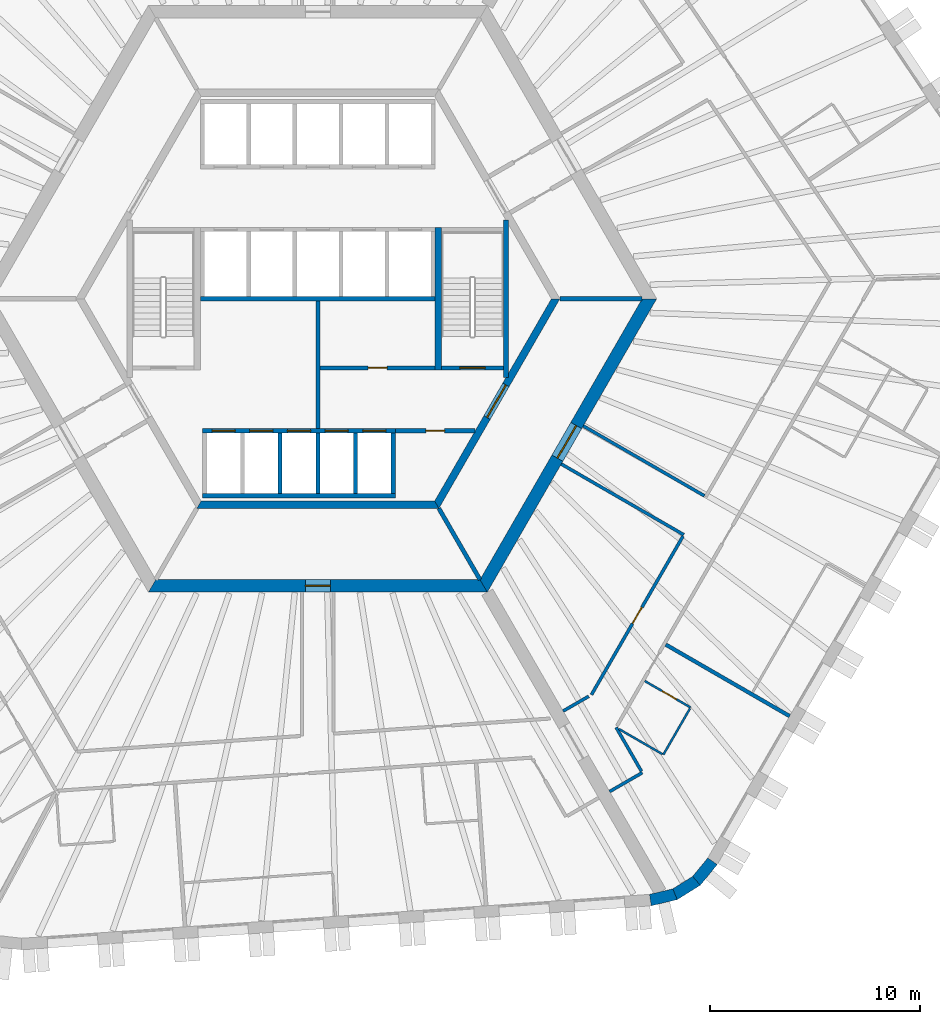
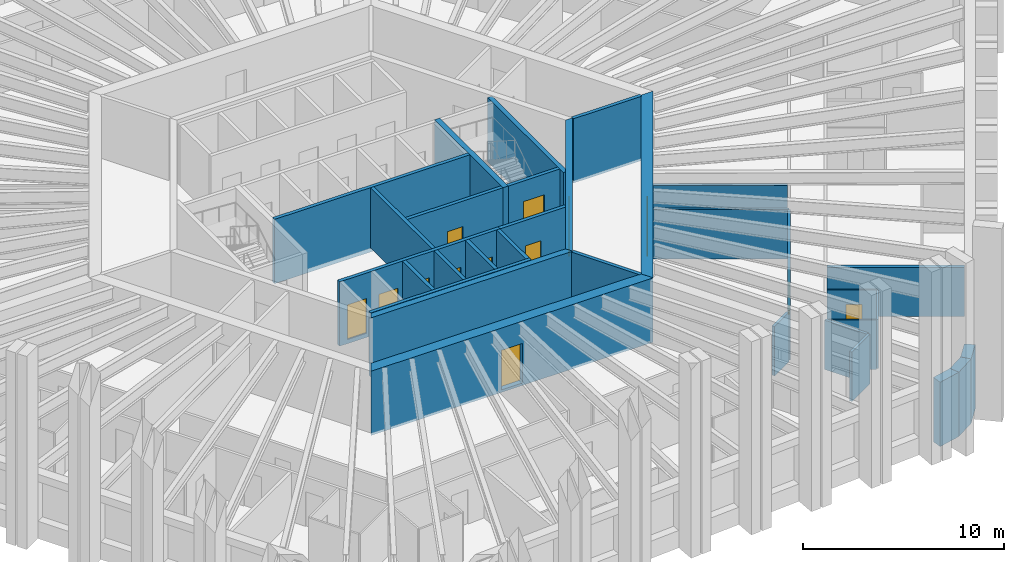
# One storey, part 5 of 12: 32 walls, 13 doors, 13 openings.
"""IFC4 building model written with IfcOpenShell, lengths in metres."""

from ifc_helpers import new_model, si_unit, direction, frame, frame_2d, origin, place, context, subcontext, project, spatial, polyline, rectangle, outline, extrude, material, layer, layer_set, type_object, element, fill, save


model = new_model("IFC4")

# Units and contexts
model_context = context("Model", 3, precision=1e-05, world=origin(), true_north=direction((0.0, 1.0)))
body_context = subcontext(model_context, "Body", "Model", "MODEL_VIEW")
ifc_project = project(units=[si_unit("LENGTHUNIT", "METRE"), si_unit("AREAUNIT", "SQUARE_METRE"), si_unit("VOLUMEUNIT", "CUBIC_METRE"), si_unit("PLANEANGLEUNIT", "RADIAN"), si_unit("MASSUNIT", "GRAM", prefix="KILO")], contexts=[model_context])

# Site, building, storey
site_placement = place(None, origin())
site = spatial("IfcSite", under=ifc_project, at=site_placement, CompositionType="ELEMENT")
building_placement = place(site_placement, origin())
building = spatial("IfcBuilding", under=site, at=building_placement, Name="Tarnside Tower", CompositionType="ELEMENT")
storey_placement = place(building_placement, frame((0.0, 0.0, 49.199951171875)))
storey = spatial("IfcBuildingStorey", under=building, at=storey_placement, Name="L09", CompositionType="ELEMENT", Elevation=49.199951171875)

# Wall, opening, door
ifc_material_1 = material(Name="Gypsum board partition on steel studs", Category="steel")
ifc_layer_1 = layer(ifc_material_1, 0.10009765625)
ifc_layer_set_1 = layer_set([ifc_layer_1], Name="Bathroom wall 100")
wall_type_1 = type_object("IfcWallType", Name="Bathroom wall 100", PredefinedType="PARTITIONING", material=ifc_layer_set_1)
wall_1_placement = place(storey_placement, frame((15.5966796875, -18.23583984375, 0.0), z_axis=(0.0, 0.0, 1.0), x_axis=(0.866039067339, -0.499976333282, 0.0)))
wall_1 = element("IfcWall", 1, at=wall_1_placement, inside=storey, type_object=wall_type_1, Name="Bathroom wall 02128", PredefinedType="PARTITIONING", context=body_context, shape_type="SweptSolid", body=[
    extrude(rectangle(XDim=2.52490234375, YDim=0.10009765625, at=frame_2d((1.262451171875, 0.0))), origin(), (0.0, 0.0, 1.0), 2.98779296875),
])
opening_1_placement = place(wall_1_placement, frame((0.955078125, 0.0, 0.0)))
opening_1 = element("IfcOpeningElement", 2, at=opening_1_placement, cuts=wall_1, Name="Opening D-B1", PredefinedType="OPENING", context=body_context, shape_type="SweptSolid", body=[
    extrude(rectangle(XDim=0.800048828125, YDim=2.10009765625, at=frame_2d((0.39990234375, 1.050048828125))), frame((0.0, 0.06005859375, 0.0), z_axis=(0.0, -1.0, 0.0), x_axis=(1.0, 0.0, 0.0)), (0.0, 0.0, 1.0), 0.1201171875),
])
ifc_material_2 = material(Name="Timber door leaf", Category="wood")
door_type_1 = type_object("IfcDoorType", Name="Bathroom door 800", OperationType="NOTDEFINED", PredefinedType="DOOR", material=ifc_material_2)
door_1_placement = place(opening_1_placement, origin())
door_1 = element("IfcDoor", 3, at=door_1_placement, inside=storey, type_object=door_type_1, Name="Bathroom door 02029", OperationType="SINGLE_SWING_LEFT", OverallHeight=2.10009765625, OverallWidth=0.800048828125, PredefinedType="DOOR", context=body_context, shape_type="SweptSolid", body=[
    extrude(rectangle(XDim=0.800048828125, YDim=2.10009765625, at=frame_2d((0.39990234375, 1.050048828125))), frame((0.0, 0.02490234375, 0.0), z_axis=(0.0, -1.0, 0.0), x_axis=(1.0, 0.0, 0.0)), (0.0, 0.0, 1.0), 0.050048828125),
])
fill(opening_1, door_1)

# Walls
wall_2_placement = place(storey_placement, frame((17.75830078125, -19.541748046875, 0.0), z_axis=(0.0, 0.0, 1.0), x_axis=(-0.499990435942, -0.866030925526, 0.0)))
element("IfcWall", 4, at=wall_2_placement, inside=storey, type_object=wall_type_1, Name="Bathroom wall 02129", PredefinedType="PARTITIONING", context=body_context, shape_type="SweptSolid", body=[
    extrude(rectangle(XDim=2.5498046875, YDim=0.10009765625, at=frame_2d((1.27490234375, 0.0))), origin(), (0.0, 0.0, 1.0), 2.98779296875),
])
wall_3_placement = place(storey_placement, frame((16.43994140625, -21.72509765625, 0.0), z_axis=(0.0, 0.0, 1.0), x_axis=(-0.865980596518, 0.500077600433, 0.0)))
element("IfcWall", 5, at=wall_3_placement, inside=storey, type_object=wall_type_1, Name="Bathroom wall 02130", PredefinedType="PARTITIONING", context=body_context, shape_type="SweptSolid", body=[
    extrude(rectangle(XDim=2.39990234375, YDim=0.10009765625, at=frame_2d((1.199951171875, 0.0))), origin(), (0.0, 0.0, 1.0), 2.98779296875),
])
ifc_material_3 = material(Name="Concrete C50/60", Category="concrete")
ifc_layer_2 = layer(ifc_material_3, 0.35009765625)
ifc_layer_set_2 = layer_set([ifc_layer_2], Name="Core block wall 350 C50/60")
wall_type_2 = type_object("IfcWallType", Name="Core block wall 350 C50/60", PredefinedType="SHEAR", material=ifc_layer_set_2)
wall_4_placement = place(storey_placement, frame((-5.672607421875, -9.824951171875, -0.14990234375), z_axis=(0.0, 0.0, 1.0), x_axis=(1.0, 0.0, 0.0)))
element("IfcWall", 6, at=wall_4_placement, inside=storey, type_object=wall_type_2, Name="L09 core block wall face 4", PredefinedType="SHEAR", context=body_context, shape_type="SweptSolid", body=[
    extrude(outline(polyline([(-0.10107421875, -0.175048828125), (11.4462890625, -0.175048828125), (11.244140625, 0.175048828125), (0.10107421875, 0.175048828125), (-0.10107421875, -0.175048828125)])), origin(), (0.0, 0.0, 1.0), 3.89990234375),
])

# Wall, opening, door
wall_5_placement = place(storey_placement, frame((5.672607421875, -9.824951171875, -0.14990234375), z_axis=(0.0, 0.0, 1.0), x_axis=(0.499995046907, 0.866028263435, 0.0)))
wall_5 = element("IfcWall", 7, at=wall_5_placement, inside=storey, type_object=wall_type_2, Name="L09 core block wall face 5", PredefinedType="SHEAR", context=body_context, shape_type="SweptSolid", body=[
    extrude(outline(polyline([(-0.10107421875, -0.175048828125), (11.44580078125, -0.175048828125), (11.24365234375, 0.175048828125), (0.10107421875, 0.175048828125), (-0.10107421875, -0.175048828125)])), origin(), (0.0, 0.0, 1.0), 3.89990234375),
])
opening_2_placement = place(wall_5_placement, frame((4.80126953125, 0.0, 0.14990234375)))
opening_2 = element("IfcOpeningElement", 8, at=opening_2_placement, cuts=wall_5, Name="Opening CD-FFL", PredefinedType="OPENING", context=body_context, shape_type="SweptSolid", body=[
    extrude(rectangle(XDim=1.800048828125, YDim=2.39990234375, at=frame_2d((0.89990234375, 1.199951171875))), frame((0.0, 0.18505859375, 0.0), z_axis=(0.0, -1.0, 0.0), x_axis=(1.0, 0.0, 0.0)), (0.0, 0.0, 1.0), 0.3701171875),
])
ifc_material_4 = material(Name="Steel fire door", Category="steel")
door_type_2 = type_object("IfcDoorType", Name="Firefighting lobby double door FD60S 1800x2400", OperationType="NOTDEFINED", PredefinedType="DOOR", material=ifc_material_4)
door_2_placement = place(opening_2_placement, origin())
door_2 = element("IfcDoor", 9, at=door_2_placement, inside=storey, type_object=door_type_2, Name="L09 lobby block door P4", OperationType="DOUBLE_DOOR_SINGLE_SWING", OverallHeight=2.39990234375, OverallWidth=1.800048828125, PredefinedType="DOOR", context=body_context, shape_type="SweptSolid", body=[
    extrude(rectangle(XDim=1.800048828125, YDim=2.39990234375, at=frame_2d((0.89990234375, 1.199951171875))), frame((0.0, 0.02490234375, 0.0), z_axis=(0.0, -1.0, 0.0), x_axis=(1.0, 0.0, 0.0)), (0.0, 0.0, 1.0), 0.050048828125),
])
fill(opening_2, door_2)

ifc_material_5 = material(Name="Concrete C40/50", Category="concrete")
ifc_layer_3 = layer(ifc_material_5, 0.199951171875)
ifc_layer_set_3 = layer_set([ifc_layer_3], Name="Core room partition 200 C40/50")
wall_type_3 = type_object("IfcWallType", Name="Core room partition 200 C40/50", PredefinedType="PARTITIONING", material=ifc_layer_set_3)
wall_6_placement = place(storey_placement, frame((0.10009765625, -3.300048828125, 0.0), z_axis=(0.0, 0.0, 1.0), x_axis=(1.0, 0.0, 0.0)))
wall_6 = element("IfcWall", 10, at=wall_6_placement, inside=storey, type_object=wall_type_3, Name="L09 core partition R3S1", PredefinedType="PARTITIONING", context=body_context, shape_type="SweptSolid", body=[
    extrude(rectangle(XDim=5.5, YDim=0.199951171875, at=frame_2d((2.75, 0.0))), origin(), (0.0, 0.0, 1.0), 3.650146484375),
])
opening_3_placement = place(wall_6_placement, frame((2.300048828125, 0.0, 0.0)))
opening_3 = element("IfcOpeningElement", 11, at=opening_3_placement, cuts=wall_6, Name="Opening CD-room", PredefinedType="OPENING", context=body_context, shape_type="SweptSolid", body=[
    extrude(rectangle(XDim=0.89990234375, YDim=2.10009765625, at=frame_2d((0.449951171875, 1.050048828125))), frame((0.0, 0.10986328125, 0.0), z_axis=(0.0, -1.0, 0.0), x_axis=(1.0, 0.0, 0.0)), (0.0, 0.0, 1.0), 0.219970703125),
])
door_type_3 = type_object("IfcDoorType", Name="Room door FD60 900x2100", OperationType="NOTDEFINED", PredefinedType="DOOR", material=ifc_material_4)
door_3_placement = place(opening_3_placement, origin())
door_3 = element("IfcDoor", 12, at=door_3_placement, inside=storey, type_object=door_type_3, Name="L09 core room door SR1", OperationType="SINGLE_SWING_LEFT", OverallHeight=2.10009765625, OverallWidth=0.89990234375, PredefinedType="DOOR", context=body_context, shape_type="SweptSolid", body=[
    extrude(rectangle(XDim=0.89990234375, YDim=2.10009765625, at=frame_2d((0.449951171875, 1.050048828125))), frame((0.0, 0.02490234375, 0.0), z_axis=(0.0, -1.0, 0.0), x_axis=(1.0, 0.0, 0.0)), (0.0, 0.0, 1.0), 0.050048828125),
])
fill(opening_3, door_3)

# Wall
wall_7_placement = place(storey_placement, frame((0.0, -6.199951171875, 0.0), z_axis=(0.0, 0.0, 1.0), x_axis=(0.0, 1.0, 0.0)))
element("IfcWall", 13, at=wall_7_placement, inside=storey, type_object=wall_type_3, Name="L09 core partition X0", PredefinedType="PARTITIONING", context=body_context, shape_type="SweptSolid", body=[
    extrude(rectangle(XDim=6.099853515625, YDim=0.199951171875, at=frame_2d((3.0498046875, 0.0))), origin(), (0.0, 0.0, 1.0), 3.650146484375),
])

# Wall, opening, door
wall_8_placement = place(storey_placement, frame((3.699951171875, -6.300048828125, 0.0), z_axis=(0.0, 0.0, 1.0), x_axis=(1.0, 0.0, 0.0)))
wall_8 = element("IfcWall", 14, at=wall_8_placement, inside=storey, type_object=wall_type_3, Name="L09 core partition R4X", PredefinedType="PARTITIONING", context=body_context, shape_type="SweptSolid", body=[
    extrude(rectangle(XDim=3.8056640625, YDim=0.199951171875, at=frame_2d((1.90283203125, 0.0))), origin(), (0.0, 0.0, 1.0), 3.650146484375),
])
opening_4_placement = place(wall_8_placement, frame((1.452880859375, 0.0, 0.0)))
opening_4 = element("IfcOpeningElement", 15, at=opening_4_placement, cuts=wall_8, Name="Opening CD-room", PredefinedType="OPENING", context=body_context, shape_type="SweptSolid", body=[
    extrude(rectangle(XDim=0.89990234375, YDim=2.10009765625, at=frame_2d((0.449951171875, 1.050048828125))), frame((0.0, 0.10986328125, 0.0), z_axis=(0.0, -1.0, 0.0), x_axis=(1.0, 0.0, 0.0)), (0.0, 0.0, 1.0), 0.219970703125),
])
door_4_placement = place(opening_4_placement, origin())
door_4 = element("IfcDoor", 16, at=door_4_placement, inside=storey, type_object=door_type_3, Name="L09 core room door RX", OperationType="SINGLE_SWING_LEFT", OverallHeight=2.10009765625, OverallWidth=0.89990234375, PredefinedType="DOOR", context=body_context, shape_type="SweptSolid", body=[
    extrude(rectangle(XDim=0.89990234375, YDim=2.10009765625, at=frame_2d((0.449951171875, 1.050048828125))), frame((0.0, 0.02490234375, 0.0), z_axis=(0.0, -1.0, 0.0), x_axis=(1.0, 0.0, 0.0)), (0.0, 0.0, 1.0), 0.050048828125),
])
fill(opening_4, door_4)

ifc_material_6 = material(Name="Concrete C80/95", Category="concrete")
ifc_layer_4 = layer(ifc_material_6, 0.60009765625)
ifc_layer_set_4 = layer_set([ifc_layer_4], Name="Core wall Z1 600 C80/95")
wall_type_4 = type_object("IfcWallType", Name="Core wall Z1 600 C80/95", PredefinedType="SHEAR", material=ifc_layer_set_4)
wall_9_placement = place(storey_placement, frame((-7.90966796875, -13.699951171875, -0.14990234375), z_axis=(0.0, 0.0, 1.0), x_axis=(1.0, 0.0, 0.0)))
wall_9 = element("IfcWall", 17, at=wall_9_placement, inside=storey, type_object=wall_type_4, Name="L09 core wall face 4", PredefinedType="SHEAR", context=body_context, shape_type="SweptSolid", body=[
    extrude(outline(polyline([(-0.17333984375, -0.300048828125), (15.99267578125, -0.300048828125), (15.64599609375, 0.300048828125), (0.17333984375, 0.300048828125), (-0.17333984375, -0.300048828125)])), origin(), (0.0, 0.0, 1.0), 3.89990234375),
])
opening_5_placement = place(wall_9_placement, frame((7.309814453125, 0.0, 0.14990234375)))
opening_5 = element("IfcOpeningElement", 18, at=opening_5_placement, cuts=wall_9, Name="Opening CD-RSR", PredefinedType="OPENING", context=body_context, shape_type="SweptSolid", body=[
    extrude(rectangle(XDim=1.199951171875, YDim=2.39990234375, at=frame_2d((0.60009765625, 1.199951171875))), frame((0.0, 0.31005859375, 0.0), z_axis=(0.0, -1.0, 0.0), x_axis=(1.0, 0.0, 0.0)), (0.0, 0.0, 1.0), 0.6201171875),
])
door_type_4 = type_object("IfcDoorType", Name="Riser door FD60 1200x2400", OperationType="NOTDEFINED", PredefinedType="DOOR", material=ifc_material_4)
door_5_placement = place(opening_5_placement, origin())
door_5 = element("IfcDoor", 19, at=door_5_placement, inside=storey, type_object=door_type_4, Name="L09 core door S6", OperationType="SINGLE_SWING_LEFT", OverallHeight=2.39990234375, OverallWidth=1.199951171875, PredefinedType="DOOR", context=body_context, shape_type="SweptSolid", body=[
    extrude(rectangle(XDim=1.199951171875, YDim=2.39990234375, at=frame_2d((0.60009765625, 1.199951171875))), frame((0.0, 0.02490234375, 0.0), z_axis=(0.0, -1.0, 0.0), x_axis=(1.0, 0.0, 0.0)), (0.0, 0.0, 1.0), 0.050048828125),
])
fill(opening_5, door_5)

wall_10_placement = place(storey_placement, frame((7.90966796875, -13.699951171875, -0.14990234375), z_axis=(0.0, 0.0, 1.0), x_axis=(0.499999880136, 0.866025472988, 0.0)))
wall_10 = element("IfcWall", 20, at=wall_10_placement, inside=storey, type_object=wall_type_4, Name="L09 core wall face 5", PredefinedType="SHEAR", context=body_context, shape_type="SweptSolid", body=[
    extrude(outline(polyline([(-0.17333984375, -0.300048828125), (15.99267578125, -0.300048828125), (15.64599609375, 0.300048828125), (0.17333984375, 0.300048828125), (-0.17333984375, -0.300048828125)])), origin(), (0.0, 0.0, 1.0), 3.89990234375),
])
opening_6_placement = place(wall_10_placement, frame((7.03857421875, 0.0, 0.14990234375)))
opening_6 = element("IfcOpeningElement", 21, at=opening_6_placement, cuts=wall_10, Name="Opening CD-FFL", PredefinedType="OPENING", context=body_context, shape_type="SweptSolid", body=[
    extrude(rectangle(XDim=1.800048828125, YDim=2.39990234375, at=frame_2d((0.89990234375, 1.199951171875))), frame((0.0, 0.31005859375, 0.0), z_axis=(0.0, -1.0, 0.0), x_axis=(1.0, 0.0, 0.0)), (0.0, 0.0, 1.0), 0.6201171875),
])
door_6_placement = place(opening_6_placement, origin())
door_6 = element("IfcDoor", 22, at=door_6_placement, inside=storey, type_object=door_type_2, Name="L09 core door P4", OperationType="DOUBLE_DOOR_SINGLE_SWING", OverallHeight=2.39990234375, OverallWidth=1.800048828125, PredefinedType="DOOR", context=body_context, shape_type="SweptSolid", body=[
    extrude(rectangle(XDim=1.800048828125, YDim=2.39990234375, at=frame_2d((0.89990234375, 1.199951171875))), frame((0.0, 0.02490234375, 0.0), z_axis=(0.0, -1.0, 0.0), x_axis=(1.0, 0.0, 0.0)), (0.0, 0.0, 1.0), 0.050048828125),
])
fill(opening_6, door_6)

# Walls
ifc_layer_5 = layer(ifc_material_1, 0.14990234375)
ifc_layer_set_5 = layer_set([ifc_layer_5], Name="Corridor wall 150 EI 60")
wall_type_5 = type_object("IfcWallType", Name="Corridor wall 150 EI 60", PredefinedType="PARTITIONING", material=ifc_layer_set_5)
wall_11_placement = place(storey_placement, frame((13.919921875, -23.510009765625, 0.0), z_axis=(0.0, 0.0, 1.0), x_axis=(0.866047807691, 0.499961193289, 0.0)))
element("IfcWall", 23, at=wall_11_placement, inside=storey, type_object=wall_type_5, Name="Corridor wall 02048", PredefinedType="PARTITIONING", context=body_context, shape_type="SweptSolid", body=[
    extrude(rectangle(XDim=1.800048828125, YDim=0.14990234375, at=frame_2d((0.89990234375, 0.0))), origin(), (0.0, 0.0, 1.0), 2.98779296875),
])
wall_12_placement = place(storey_placement, frame((15.44140625, -22.545166015625, 0.0), z_axis=(0.0, 0.0, 1.0), x_axis=(-0.500013622142, 0.866017538894, 0.0)))
element("IfcWall", 24, at=wall_12_placement, inside=storey, type_object=wall_type_5, Name="Corridor wall 02049", PredefinedType="PARTITIONING", context=body_context, shape_type="SweptSolid", body=[
    extrude(rectangle(XDim=2.41943359375, YDim=0.14990234375, at=frame_2d((1.209716796875, 0.0))), origin(), (0.0, 0.0, 1.0), 2.98779296875),
])
wall_13_placement = place(storey_placement, frame((18.444580078125, -9.403076171875, 0.0), z_axis=(0.0, 0.0, 1.0), x_axis=(-0.866033317326, 0.499986293093, 0.0)))
element("IfcWall", 25, at=wall_13_placement, inside=storey, type_object=wall_type_5, Name="Corridor wall 02066", PredefinedType="PARTITIONING", context=body_context, shape_type="SweptSolid", body=[
    extrude(rectangle(XDim=6.675048828125, YDim=0.14990234375, at=frame_2d((3.33740234375, 0.0))), origin(), (0.0, 0.0, 1.0), 2.98779296875),
])
wall_14_placement = place(storey_placement, frame((11.61376953125, -7.88427734375, 0.0), z_axis=(0.0, 0.0, 1.0), x_axis=(0.866026575979, -0.499997969693, 0.0)))
element("IfcWall", 26, at=wall_14_placement, inside=storey, type_object=wall_type_5, Name="Corridor wall 02067", PredefinedType="PARTITIONING", context=body_context, shape_type="SweptSolid", body=[
    extrude(rectangle(XDim=6.75, YDim=0.14990234375, at=frame_2d((3.375, 0.0))), origin(), (0.0, 0.0, 1.0), 2.98779296875),
])

# Wall, opening, door
wall_15_placement = place(storey_placement, frame((17.421875, -11.32421875, 0.0), z_axis=(0.0, 0.0, 1.0), x_axis=(-0.499994979726, -0.866028302222, 0.0)))
wall_15 = element("IfcWall", 27, at=wall_15_placement, inside=storey, type_object=wall_type_5, Name="Corridor wall 02068", PredefinedType="PARTITIONING", context=body_context, shape_type="SweptSolid", body=[
    extrude(rectangle(XDim=8.73681640625, YDim=0.14990234375, at=frame_2d((4.368408203125, 0.0))), origin(), (0.0, 0.0, 1.0), 2.98779296875),
])
opening_7_placement = place(wall_15_placement, frame((3.91845703125, 0.0, 0.0)))
opening_7 = element("IfcOpeningElement", 28, at=opening_7_placement, cuts=wall_15, Name="Opening D-S1", PredefinedType="OPENING", context=body_context, shape_type="SweptSolid", body=[
    extrude(rectangle(XDim=0.89990234375, YDim=2.10009765625, at=frame_2d((0.449951171875, 1.050048828125))), frame((0.0, 0.0849609375, 0.0), z_axis=(0.0, -1.0, 0.0), x_axis=(1.0, 0.0, 0.0)), (0.0, 0.0, 1.0), 0.169921875),
])
door_type_5 = type_object("IfcDoorType", Name="Service room door 900 FD30S", OperationType="NOTDEFINED", PredefinedType="DOOR", material=ifc_material_2)
door_7_placement = place(opening_7_placement, origin())
door_7 = element("IfcDoor", 29, at=door_7_placement, inside=storey, type_object=door_type_5, Name="Service door 02048", OperationType="SINGLE_SWING_LEFT", OverallHeight=2.10009765625, OverallWidth=0.89990234375, PredefinedType="DOOR", context=body_context, shape_type="SweptSolid", body=[
    extrude(rectangle(XDim=0.89990234375, YDim=2.10009765625, at=frame_2d((0.449951171875, 1.050048828125))), frame((0.0, 0.02490234375, 0.0), z_axis=(0.0, -1.0, 0.0), x_axis=(1.0, 0.0, 0.0)), (0.0, 0.0, 1.0), 0.050048828125),
])
fill(opening_7, door_7)

# Walls
wall_16_placement = place(storey_placement, frame((12.923583984375, -18.965576171875, 0.0), z_axis=(0.0, 0.0, 1.0), x_axis=(-0.866038455972, -0.499977392266, 0.0)))
element("IfcWall", 30, at=wall_16_placement, inside=storey, type_object=wall_type_5, Name="Corridor wall 02069", PredefinedType="PARTITIONING", context=body_context, shape_type="SweptSolid", body=[
    extrude(rectangle(XDim=1.4091796875, YDim=0.14990234375, at=frame_2d((0.70458984375, 0.0))), origin(), (0.0, 0.0, 1.0), 2.98779296875),
])
ifc_layer_6 = layer(ifc_material_1, 0.179931640625)
ifc_layer_set_6 = layer_set([ifc_layer_6], Name="Demising wall 180 EI 60")
wall_type_6 = type_object("IfcWallType", Name="Demising wall 180 EI 60", PredefinedType="PARTITIONING", material=ifc_layer_set_6)
wall_17_placement = place(storey_placement, frame((22.510009765625, -19.91162109375, 0.0), z_axis=(0.0, 0.0, 1.0), x_axis=(-0.866019982719, 0.500009389444, 0.0)))
element("IfcWall", 31, at=wall_17_placement, inside=storey, type_object=wall_type_6, Name="Demising wall 02131", PredefinedType="PARTITIONING", context=body_context, shape_type="SweptSolid", body=[
    extrude(rectangle(XDim=6.824951171875, YDim=0.179931640625, at=frame_2d((3.41259765625, 0.0))), origin(), (0.0, 0.0, 1.0), 2.98779296875),
])
ifc_layer_7 = layer(ifc_material_5, 0.199951171875)
ifc_layer_set_7 = layer_set([ifc_layer_7], Name="Lift shaft wall 200 C40/50")
wall_type_7 = type_object("IfcWallType", Name="Lift shaft wall 200 C40/50", PredefinedType="SHEAR", material=ifc_layer_set_7)
wall_18_placement = place(storey_placement, frame((-5.60009765625, 0.0, -0.25), z_axis=(0.0, 0.0, 1.0), x_axis=(1.0, 0.0, 0.0)))
element("IfcWall", 32, at=wall_18_placement, inside=storey, type_object=wall_type_7, Name="L09 lift shaft back wall R2", PredefinedType="SHEAR", context=body_context, shape_type="SweptSolid", body=[
    extrude(rectangle(XDim=11.2001953125, YDim=0.199951171875, at=frame_2d((5.60009765625, 0.0))), origin(), (0.0, 0.0, 1.0), 3.900146484375),
])

# Wall, openings, doors
wall_19_placement = place(storey_placement, frame((-5.5, -6.300048828125, -0.25), z_axis=(0.0, 0.0, 1.0), x_axis=(1.0, 0.0, 0.0)))
wall_19 = element("IfcWall", 33, at=wall_19_placement, inside=storey, type_object=wall_type_7, Name="L09 lift shaft front wall R4", PredefinedType="SHEAR", context=body_context, shape_type="SweptSolid", body=[
    extrude(rectangle(XDim=9.199951171875, YDim=0.199951171875, at=frame_2d((4.60009765625, 0.0))), origin(), (0.0, 0.0, 1.0), 3.900146484375),
])
opening_8_placement = place(wall_19_placement, frame((0.449951171875, 0.0, 0.25)))
opening_8 = element("IfcOpeningElement", 34, at=opening_8_placement, cuts=wall_19, Name="Opening LDF", PredefinedType="OPENING", context=body_context, shape_type="SweptSolid", body=[
    extrude(rectangle(XDim=1.10009765625, YDim=2.10009765625, at=frame_2d((0.550048828125, 1.050048828125))), frame((0.0, 0.10986328125, 0.0), z_axis=(0.0, -1.0, 0.0), x_axis=(1.0, 0.0, 0.0)), (0.0, 0.0, 1.0), 0.219970703125),
])
opening_9_placement = place(wall_19_placement, frame((2.25, 0.0, 0.25)))
opening_9 = element("IfcOpeningElement", 35, at=opening_9_placement, cuts=wall_19, Name="Opening LDF", PredefinedType="OPENING", context=body_context, shape_type="SweptSolid", body=[
    extrude(rectangle(XDim=1.10009765625, YDim=2.10009765625, at=frame_2d((0.550048828125, 1.050048828125))), frame((0.0, 0.10986328125, 0.0), z_axis=(0.0, -1.0, 0.0), x_axis=(1.0, 0.0, 0.0)), (0.0, 0.0, 1.0), 0.219970703125),
])
opening_10_placement = place(wall_19_placement, frame((4.050048828125, 0.0, 0.25)))
opening_10 = element("IfcOpeningElement", 36, at=opening_10_placement, cuts=wall_19, Name="Opening LDF", PredefinedType="OPENING", context=body_context, shape_type="SweptSolid", body=[
    extrude(rectangle(XDim=1.10009765625, YDim=2.10009765625, at=frame_2d((0.550048828125, 1.050048828125))), frame((0.0, 0.10986328125, 0.0), z_axis=(0.0, -1.0, 0.0), x_axis=(1.0, 0.0, 0.0)), (0.0, 0.0, 1.0), 0.219970703125),
])
opening_11_placement = place(wall_19_placement, frame((5.85009765625, 0.0, 0.25)))
opening_11 = element("IfcOpeningElement", 37, at=opening_11_placement, cuts=wall_19, Name="Opening LDF", PredefinedType="OPENING", context=body_context, shape_type="SweptSolid", body=[
    extrude(rectangle(XDim=1.10009765625, YDim=2.10009765625, at=frame_2d((0.550048828125, 1.050048828125))), frame((0.0, 0.10986328125, 0.0), z_axis=(0.0, -1.0, 0.0), x_axis=(1.0, 0.0, 0.0)), (0.0, 0.0, 1.0), 0.219970703125),
])
opening_12_placement = place(wall_19_placement, frame((7.64990234375, 0.0, 0.25)))
opening_12 = element("IfcOpeningElement", 38, at=opening_12_placement, cuts=wall_19, Name="Opening LDF", PredefinedType="OPENING", context=body_context, shape_type="SweptSolid", body=[
    extrude(rectangle(XDim=1.10009765625, YDim=2.10009765625, at=frame_2d((0.550048828125, 1.050048828125))), frame((0.0, 0.10986328125, 0.0), z_axis=(0.0, -1.0, 0.0), x_axis=(1.0, 0.0, 0.0)), (0.0, 0.0, 1.0), 0.219970703125),
])
ifc_material_7 = material(Name="Stainless steel", Category="steel")
door_type_6 = type_object("IfcDoorType", Name="Lift landing door 1100x2100 EI 120", OperationType="NOTDEFINED", PredefinedType="DOOR", material=ifc_material_7)
door_8_placement = place(opening_8_placement, origin())
door_8 = element("IfcDoor", 39, at=door_8_placement, inside=storey, type_object=door_type_6, Name="Firefighting lift 1 landing door L09", OperationType="SLIDING_TO_LEFT", OverallHeight=2.10009765625, OverallWidth=1.10009765625, PredefinedType="DOOR", context=body_context, shape_type="SweptSolid", body=[
    extrude(rectangle(XDim=1.10009765625, YDim=2.10009765625, at=frame_2d((0.550048828125, 1.050048828125))), frame((0.0, 0.02490234375, 0.0), z_axis=(0.0, -1.0, 0.0), x_axis=(1.0, 0.0, 0.0)), (0.0, 0.0, 1.0), 0.050048828125),
])
fill(opening_8, door_8)
door_9_placement = place(opening_9_placement, origin())
door_9 = element("IfcDoor", 40, at=door_9_placement, inside=storey, type_object=door_type_6, Name="Firefighting lift 2 landing door L09", OperationType="SLIDING_TO_LEFT", OverallHeight=2.10009765625, OverallWidth=1.10009765625, PredefinedType="DOOR", context=body_context, shape_type="SweptSolid", body=[
    extrude(rectangle(XDim=1.10009765625, YDim=2.10009765625, at=frame_2d((0.550048828125, 1.050048828125))), frame((0.0, 0.02490234375, 0.0), z_axis=(0.0, -1.0, 0.0), x_axis=(1.0, 0.0, 0.0)), (0.0, 0.0, 1.0), 0.050048828125),
])
fill(opening_9, door_9)
door_10_placement = place(opening_10_placement, origin())
door_10 = element("IfcDoor", 41, at=door_10_placement, inside=storey, type_object=door_type_6, Name="Firefighting lift 3 landing door L09", OperationType="SLIDING_TO_LEFT", OverallHeight=2.10009765625, OverallWidth=1.10009765625, PredefinedType="DOOR", context=body_context, shape_type="SweptSolid", body=[
    extrude(rectangle(XDim=1.10009765625, YDim=2.10009765625, at=frame_2d((0.550048828125, 1.050048828125))), frame((0.0, 0.02490234375, 0.0), z_axis=(0.0, -1.0, 0.0), x_axis=(1.0, 0.0, 0.0)), (0.0, 0.0, 1.0), 0.050048828125),
])
fill(opening_10, door_10)
door_11_placement = place(opening_11_placement, origin())
door_11 = element("IfcDoor", 42, at=door_11_placement, inside=storey, type_object=door_type_6, Name="Firefighting lift 4 landing door L09", OperationType="SLIDING_TO_LEFT", OverallHeight=2.10009765625, OverallWidth=1.10009765625, PredefinedType="DOOR", context=body_context, shape_type="SweptSolid", body=[
    extrude(rectangle(XDim=1.10009765625, YDim=2.10009765625, at=frame_2d((0.550048828125, 1.050048828125))), frame((0.0, 0.02490234375, 0.0), z_axis=(0.0, -1.0, 0.0), x_axis=(1.0, 0.0, 0.0)), (0.0, 0.0, 1.0), 0.050048828125),
])
fill(opening_11, door_11)
door_12_placement = place(opening_12_placement, origin())
door_12 = element("IfcDoor", 43, at=door_12_placement, inside=storey, type_object=door_type_6, Name="Firefighting lift 5 landing door L09", OperationType="SLIDING_TO_LEFT", OverallHeight=2.10009765625, OverallWidth=1.10009765625, PredefinedType="DOOR", context=body_context, shape_type="SweptSolid", body=[
    extrude(rectangle(XDim=1.10009765625, YDim=2.10009765625, at=frame_2d((0.550048828125, 1.050048828125))), frame((0.0, 0.02490234375, 0.0), z_axis=(0.0, -1.0, 0.0), x_axis=(1.0, 0.0, 0.0)), (0.0, 0.0, 1.0), 0.050048828125),
])
fill(opening_12, door_12)

# Walls
wall_20_placement = place(storey_placement, frame((-5.5, -9.39990234375, -0.25), z_axis=(0.0, 0.0, 1.0), x_axis=(1.0, 0.0, 0.0)))
element("IfcWall", 44, at=wall_20_placement, inside=storey, type_object=wall_type_7, Name="L09 lift shaft back wall R4", PredefinedType="SHEAR", context=body_context, shape_type="SweptSolid", body=[
    extrude(rectangle(XDim=9.199951171875, YDim=0.199951171875, at=frame_2d((4.60009765625, 0.0))), origin(), (0.0, 0.0, 1.0), 3.900146484375),
])
for number, where, z_axis, x_axis, name in (
    (45, (-1.800048828125, -9.300048828125, -0.25), (0.0, 0.0, 1.0), (0.0, 1.0, 0.0), "L09 lift shaft partition R43"),
    (46, (0.0, -9.300048828125, -0.25), (0.0, 0.0, 1.0), (0.0, 1.0, 0.0), "L09 lift shaft partition R44"),
    (47, (1.800048828125, -9.300048828125, -0.25), (0.0, 0.0, 1.0), (0.0, 1.0, 0.0), "L09 lift shaft partition R45"),
    (48, (3.60009765625, -9.300048828125, -0.25), (0.0, 0.0, 1.0), (0.0, 1.0, 0.0), "L09 lift shaft partition R46"),
):
    element("IfcWall", number, at=place(storey_placement, frame(where, z_axis=z_axis, x_axis=x_axis)), inside=storey, type_object=wall_type_7, Name=name, PredefinedType="SHEAR", context=body_context, shape_type="SweptSolid", body=[
        extrude(rectangle(XDim=2.900146484375, YDim=0.199951171875, at=frame_2d((1.4501953125, 0.0))), origin(), (0.0, 0.0, 1.0), 3.900146484375),
    ])
wall_21_placement = place(storey_placement, frame((11.547119140625, 0.0, -0.14990234375), z_axis=(0.0, 0.0, 1.0), x_axis=(1.0, 0.0, 0.0)))
element("IfcWall", 49, at=wall_21_placement, inside=storey, type_object=wall_type_7, Name="L09 core partition AR0", PredefinedType="SHEAR", context=body_context, shape_type="SweptSolid", body=[
    extrude(rectangle(XDim=3.92578125, YDim=0.199951171875, at=frame_2d((1.962890625, 0.0))), origin(), (0.0, 0.0, 1.0), 3.89990234375),
])
wall_22_placement = place(storey_placement, frame((5.7734375, -10.0, -0.14990234375), z_axis=(0.0, 0.0, 1.0), x_axis=(0.500038251005, -0.86600331843, 0.0)))
element("IfcWall", 50, at=wall_22_placement, inside=storey, type_object=wall_type_7, Name="L09 core partition AR300", PredefinedType="SHEAR", context=body_context, shape_type="SweptSolid", body=[
    extrude(rectangle(XDim=3.926025390625, YDim=0.199951171875, at=frame_2d((1.962890625, 0.0))), origin(), (0.0, 0.0, 1.0), 3.89990234375),
])

# Wall, opening, door
wall_23_placement = place(storey_placement, frame((5.89990234375, -3.300048828125, -0.25), z_axis=(0.0, 0.0, 1.0), x_axis=(1.0, 0.0, 0.0)))
wall_23 = element("IfcWall", 51, at=wall_23_placement, inside=storey, type_object=wall_type_7, Name="L09 stair 1 enclosure cap wall s", PredefinedType="SHEAR", context=body_context, shape_type="SweptSolid", body=[
    extrude(rectangle(XDim=2.9501953125, YDim=0.199951171875, at=frame_2d((1.47509765625, 0.0))), origin(), (0.0, 0.0, 1.0), 3.900146484375),
])
opening_13_placement = place(wall_23_placement, frame((0.875, 0.0, 0.25)))
opening_13 = element("IfcOpeningElement", 52, at=opening_13_placement, cuts=wall_23, Name="Opening CD-STR", PredefinedType="OPENING", context=body_context, shape_type="SweptSolid", body=[
    extrude(rectangle(XDim=1.199951171875, YDim=2.39990234375, at=frame_2d((0.60009765625, 1.199951171875))), frame((0.0, 0.10986328125, 0.0), z_axis=(0.0, -1.0, 0.0), x_axis=(1.0, 0.0, 0.0)), (0.0, 0.0, 1.0), 0.219970703125),
])
door_type_7 = type_object("IfcDoorType", Name="Stair door FD60S 1200x2400", OperationType="NOTDEFINED", PredefinedType="DOOR", material=ifc_material_4)
door_13_placement = place(opening_13_placement, origin())
door_13 = element("IfcDoor", 53, at=door_13_placement, inside=storey, type_object=door_type_7, Name="L09 stair 1 door", OperationType="SINGLE_SWING_LEFT", OverallHeight=2.39990234375, OverallWidth=1.199951171875, PredefinedType="DOOR", context=body_context, shape_type="SweptSolid", body=[
    extrude(rectangle(XDim=1.199951171875, YDim=2.39990234375, at=frame_2d((0.60009765625, 1.199951171875))), frame((0.0, 0.02490234375, 0.0), z_axis=(0.0, -1.0, 0.0), x_axis=(1.0, 0.0, 0.0)), (0.0, 0.0, 1.0), 0.050048828125),
])
fill(opening_13, door_13)

# Walls
ifc_layer_8 = layer(ifc_material_5, 0.25)
ifc_layer_set_8 = layer_set([ifc_layer_8], Name="Stair enclosure wall 250 C40/50")
wall_type_8 = type_object("IfcWallType", Name="Stair enclosure wall 250 C40/50", PredefinedType="SHEAR", material=ifc_layer_set_8)
wall_24_placement = place(storey_placement, frame((8.97509765625, -3.7548828125, -0.25), z_axis=(0.0, 0.0, 1.0), x_axis=(0.0, 1.0, 0.0)))
element("IfcWall", 54, at=wall_24_placement, inside=storey, type_object=wall_type_8, Name="L09 stair 1 enclosure wall outer", PredefinedType="SHEAR", context=body_context, shape_type="SweptSolid", body=[
    extrude(rectangle(XDim=7.509765625, YDim=0.25, at=frame_2d((3.7548828125, 0.0))), origin(), (0.0, 0.0, 1.0), 3.900146484375),
])
ifc_layer_9 = layer(ifc_material_5, 0.300048828125)
ifc_layer_set_9 = layer_set([ifc_layer_9], Name="Stair enclosure wall 300 C40/50")
wall_type_9 = type_object("IfcWallType", Name="Stair enclosure wall 300 C40/50", PredefinedType="SHEAR", material=ifc_layer_set_9)
wall_25_placement = place(storey_placement, frame((5.75, -3.39990234375, -0.25), z_axis=(0.0, 0.0, 1.0), x_axis=(0.0, 1.0, 0.0)))
element("IfcWall", 55, at=wall_25_placement, inside=storey, type_object=wall_type_9, Name="L09 stair 1 enclosure wall inner", PredefinedType="SHEAR", context=body_context, shape_type="SweptSolid", body=[
    extrude(rectangle(XDim=6.7998046875, YDim=0.300048828125, at=frame_2d((3.39990234375, 0.0))), origin(), (0.0, 0.0, 1.0), 3.900146484375),
])
ifc_material_8 = material(Name="Facing brick", Category="masonry")
ifc_layer_10 = layer(ifc_material_8, 0.10205078125)
ifc_material_9 = material(Name="Concrete C60/75 precast", Category="concrete")
ifc_layer_11 = layer(ifc_material_9, 0.347900390625)
ifc_material_10 = material(Name="Mineral wool insulation")
ifc_layer_12 = layer(ifc_material_10, 0.10009765625)
ifc_layer_set_10 = layer_set([ifc_layer_10, ifc_layer_11, ifc_layer_12], Name="Tube wall 550 brick faced")
wall_type_10 = type_object("IfcWallType", Name="Tube wall 550 brick faced", PredefinedType="SOLIDWALL", material=ifc_layer_set_10)
wall_26_placement = place(storey_placement, frame((15.8642578125, -28.688232421875, -0.14990234375), z_axis=(0.0, 0.0, 1.0), x_axis=(0.973063591128, 0.230536868247, 0.0)))
element("IfcWall", 56, at=wall_26_placement, inside=storey, type_object=wall_type_10, Name="Tube wall L09 F4 chord 13", PredefinedType="SOLIDWALL", context=body_context, shape_type="SweptSolid", body=[
    extrude(outline(polyline([(-0.0224609375, -0.27490234375), (1.25341796875, -0.27490234375), (1.1630859375, 0.27490234375), (0.0224609375, 0.27490234375), (-0.0224609375, -0.27490234375)])), origin(), (0.0, 0.0, 1.0), 3.89990234375),
])
wall_27_placement = place(storey_placement, frame((17.0400390625, -28.40966796875, -0.14990234375), z_axis=(0.0, 0.0, 1.0), x_axis=(0.847952888306, 0.530071598195, 0.0)))
element("IfcWall", 57, at=wall_27_placement, inside=storey, type_object=wall_type_10, Name="Tube wall L09 F4 chord 14", PredefinedType="SOLIDWALL", context=body_context, shape_type="SweptSolid", body=[
    extrude(outline(polyline([(-0.045166015625, -0.27490234375), (1.253173828125, -0.27490234375), (1.162841796875, 0.27490234375), (0.045166015625, 0.27490234375), (-0.045166015625, -0.27490234375)])), origin(), (0.0, 0.0, 1.0), 3.89990234375),
])
wall_28_placement = place(storey_placement, frame((18.064453125, -27.769287109375, -0.14990234375), z_axis=(0.0, 0.0, 1.0), x_axis=(0.633842757806, 0.773461930787, 0.0)))
element("IfcWall", 58, at=wall_28_placement, inside=storey, type_object=wall_type_10, Name="Tube wall L09 F4 chord 15", PredefinedType="SOLIDWALL", context=body_context, shape_type="SweptSolid", body=[
    extrude(outline(polyline([(-0.045166015625, -0.27490234375), (1.230712890625, -0.27490234375), (1.185791015625, 0.27490234375), (0.045166015625, 0.27490234375), (-0.045166015625, -0.27490234375)])), origin(), (0.0, 0.0, 1.0), 3.89990234375),
])

save(model, "model.ifc")
